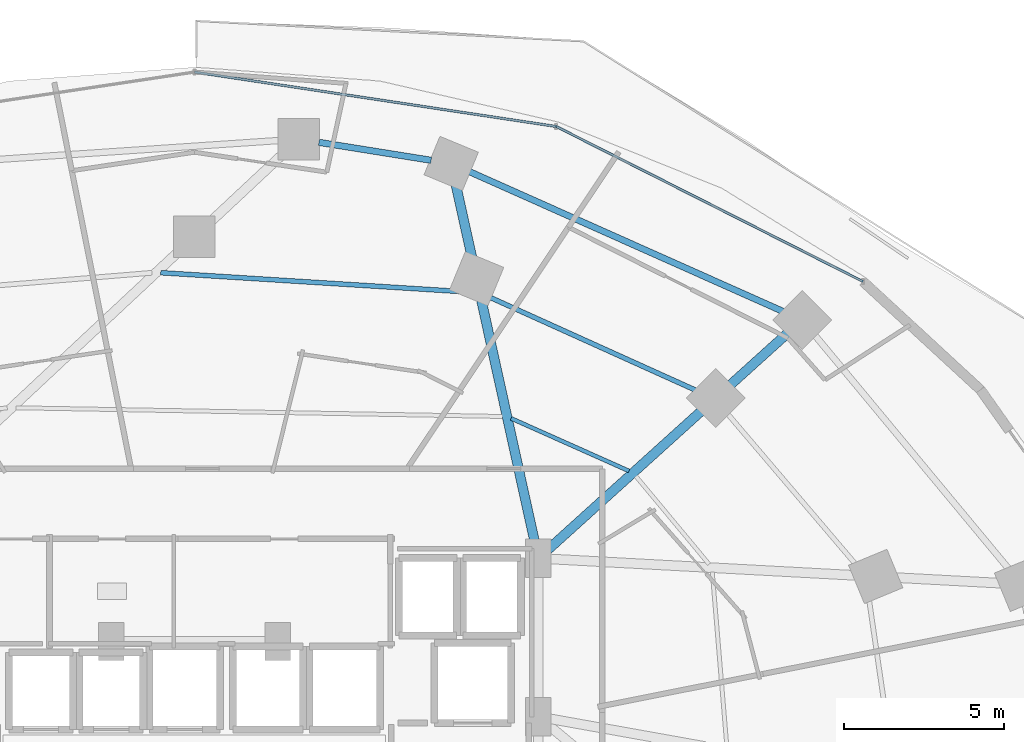
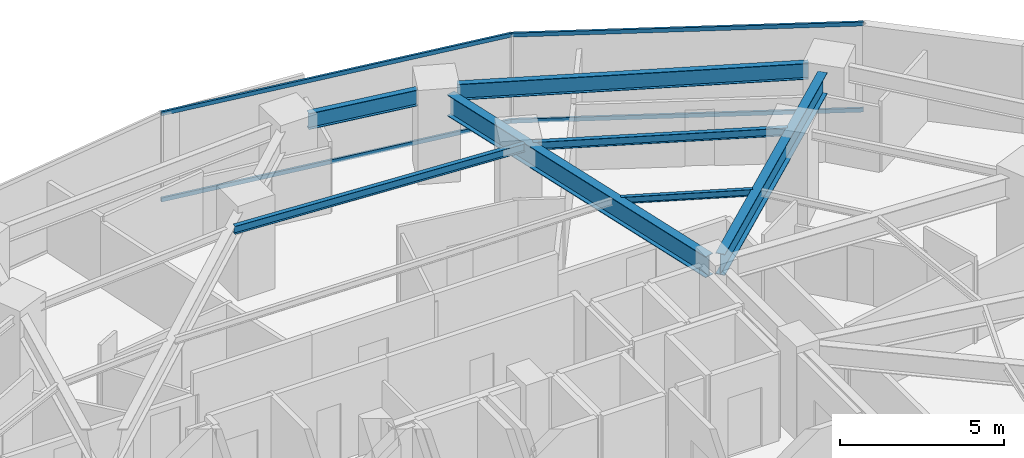
# One storey, part 22 of 33: 7 beams, 4 members, 1 element without a shape of its own.
"""IFC4 building model written with IfcOpenShell, lengths in metres."""

from ifc_helpers import new_model, si_unit, direction, frame, origin, origin_2d, place, context, subcontext, project, spatial, hollow_rectangle, i_section, extrude, material, material_profile, profile_set, type_object, element, aggregate, save


model = new_model("IFC4")

# Units and contexts
model_context = context("Model", 3, precision=1e-05, world=origin(), true_north=direction((0.0, 1.0)))
body_context = subcontext(model_context, "Body", "Model", "MODEL_VIEW")
ifc_project = project(units=[si_unit("LENGTHUNIT", "METRE"), si_unit("AREAUNIT", "SQUARE_METRE"), si_unit("VOLUMEUNIT", "CUBIC_METRE"), si_unit("PLANEANGLEUNIT", "RADIAN"), si_unit("MASSUNIT", "GRAM", prefix="KILO")], contexts=[model_context])

# Site, building, storey
site_placement = place(None, origin())
site = spatial("IfcSite", under=ifc_project, at=site_placement, CompositionType="ELEMENT")
building_placement = place(site_placement, origin())
building = spatial("IfcBuilding", under=site, at=building_placement, Name="Vorneva Point Tower", CompositionType="ELEMENT")
storey_placement = place(building_placement, frame((0.0, 0.0, 38.0)))
storey = spatial("IfcBuildingStorey", under=building, at=storey_placement, Name="L09", CompositionType="ELEMENT", Elevation=38.0)

# Beams
ifc_material_1 = material(Name="Steel S355", Category="steel")
ifc_material_profile_1 = material_profile(ifc_material_1, i_section(OverallWidth=0.300048828125, OverallDepth=0.7880859375, WebThickness=0.014404296875, FlangeThickness=0.02197265625, at=origin_2d()), Name="80Sh1")
ifc_profile_set_1 = profile_set([ifc_material_profile_1], Name="Steel S355")
beam_type_1 = type_object("IfcBeamType", Name="BM-GRD-80Sh1", PredefinedType="USERDEFINED", material=ifc_profile_set_1)
beam_1_placement = place(storey_placement, frame((56.52392578125, 40.172119140625, 2.845947265625), z_axis=(-0.742084477445, -0.67030636901, 0.0), x_axis=(0.67030636901, -0.742084477445, 0.0)))
element("IfcBeam", 1, at=beam_1_placement, inside=storey, type_object=beam_type_1, Name="L09 Radial Primary Girder 03", ObjectType="GIRDER", PredefinedType="USERDEFINED", context=body_context, shape_type="SweptSolid", body=[
    extrude(i_section(OverallWidth=0.300048828125, OverallDepth=0.7880859375, WebThickness=0.014404296875, FlangeThickness=0.02197265625, at=origin_2d()), origin(), (0.0, 0.0, 1.0), 10.135986328125),
])
beam_2_placement = place(storey_placement, frame((46.163818359375, 44.86865234375, 2.845947265625), z_axis=(0.215504784711, -0.976502784311, 0.0), x_axis=(0.976502784311, 0.215504784711, 0.0)))
element("IfcBeam", 2, at=beam_2_placement, inside=storey, type_object=beam_type_1, Name="L09 Radial Primary Girder 04", ObjectType="GIRDER", PredefinedType="USERDEFINED", context=body_context, shape_type="SweptSolid", body=[
    extrude(i_section(OverallWidth=0.300048828125, OverallDepth=0.7880859375, WebThickness=0.014404296875, FlangeThickness=0.02197265625, at=origin_2d()), origin(), (0.0, 0.0, 1.0), 11.66064453125),
])
ifc_material_profile_2 = material_profile(ifc_material_1, i_section(OverallWidth=0.1240234375, OverallDepth=0.248046875, WebThickness=0.0048828125, FlangeThickness=0.008056640625, at=origin_2d()), Name="25B1")
ifc_profile_set_2 = profile_set([ifc_material_profile_2], Name="Steel S355")
beam_type_2 = type_object("IfcBeamType", Name="BM-JST-25B1", PredefinedType="JOIST", material=ifc_profile_set_2)
beam_3_placement = place(storey_placement, frame((51.583984375, 35.8798828125, 3.115966796875), z_axis=(-0.913186925574, 0.40754096599, 0.0), x_axis=(-0.40754096599, -0.913186925574, 0.0)))
element("IfcBeam", 3, at=beam_3_placement, inside=storey, type_object=beam_type_2, Name="L09 Secondary Floor Beam 2.03", PredefinedType="JOIST", context=body_context, shape_type="SweptSolid", body=[
    extrude(i_section(OverallWidth=0.1240234375, OverallDepth=0.248046875, WebThickness=0.0048828125, FlangeThickness=0.008056640625, at=origin_2d()), origin(), (0.0, 0.0, 1.0), 4.036376953125),
])
ifc_material_profile_3 = material_profile(ifc_material_1, i_section(OverallWidth=0.14892578125, OverallDepth=0.298095703125, WebThickness=0.005615234375, FlangeThickness=0.008056640625, at=origin_2d()), Name="30B1")
ifc_profile_set_3 = profile_set([ifc_material_profile_3], Name="Steel S355")
beam_type_3 = type_object("IfcBeamType", Name="BM-JST-30B1", PredefinedType="JOIST", material=ifc_profile_set_3)
beam_4_placement = place(storey_placement, frame((54.1416015625, 38.190673828125, 3.091064453125), z_axis=(-0.911396391121, 0.411529607988, 0.0), x_axis=(-0.411529607988, -0.911396391121, 0.0)))
element("IfcBeam", 4, at=beam_4_placement, inside=storey, type_object=beam_type_3, Name="L09 Secondary Floor Beam 1.03", PredefinedType="JOIST", context=body_context, shape_type="SweptSolid", body=[
    extrude(i_section(OverallWidth=0.14892578125, OverallDepth=0.298095703125, WebThickness=0.005615234375, FlangeThickness=0.008056640625, at=origin_2d()), origin(), (0.0, 0.0, 1.0), 7.7880859375),
])
beam_5_placement = place(storey_placement, frame((46.77978515625, 41.461181640625, 3.091064453125), z_axis=(-0.998039153369, 0.062592717963, 0.0), x_axis=(-0.062592717963, -0.998039153369, 0.0)))
element("IfcBeam", 5, at=beam_5_placement, inside=storey, type_object=beam_type_3, Name="L09 Secondary Floor Beam 1.04", PredefinedType="JOIST", context=body_context, shape_type="SweptSolid", body=[
    extrude(i_section(OverallWidth=0.14892578125, OverallDepth=0.298095703125, WebThickness=0.005615234375, FlangeThickness=0.008056640625, at=origin_2d()), origin(), (0.0, 0.0, 1.0), 9.8525390625),
])
ifc_material_profile_4 = material_profile(ifc_material_1, i_section(OverallWidth=0.198974609375, OverallDepth=0.595947265625, WebThickness=0.010009765625, FlangeThickness=0.014892578125, at=origin_2d()), Name="60B1")
ifc_profile_set_4 = profile_set([ifc_material_profile_4], Name="Steel S355")
beam_type_4 = type_object("IfcBeamType", Name="BM-SPN-60B1", PredefinedType="SPANDREL", material=ifc_profile_set_4)
beam_6_placement = place(storey_placement, frame((56.41748046875, 40.8583984375, 2.94189453125), z_axis=(-0.913329187558, 0.407222046499, 0.0), x_axis=(-0.407222046499, -0.913329187558, 0.0)))
element("IfcBeam", 6, at=beam_6_placement, inside=storey, type_object=beam_type_4, Name="L09 Perimeter Spandrel Ring Beam 03", PredefinedType="SPANDREL", context=body_context, shape_type="SweptSolid", body=[
    extrude(i_section(OverallWidth=0.198974609375, OverallDepth=0.595947265625, WebThickness=0.010009765625, FlangeThickness=0.014892578125, at=origin_2d()), origin(), (0.0, 0.0, 1.0), 10.742431640625),
])
beam_7_placement = place(storey_placement, frame((45.399169921875, 45.591796875, 2.94189453125), z_axis=(-0.987466356523, 0.157829638328, 0.0), x_axis=(-0.157829638328, -0.987466356523, 0.0)))
element("IfcBeam", 7, at=beam_7_placement, inside=storey, type_object=beam_type_4, Name="L09 Perimeter Spandrel Ring Beam 04", PredefinedType="SPANDREL", context=body_context, shape_type="SweptSolid", body=[
    extrude(i_section(OverallWidth=0.198974609375, OverallDepth=0.595947265625, WebThickness=0.010009765625, FlangeThickness=0.014892578125, at=origin_2d()), origin(), (0.0, 0.0, 1.0), 3.551513671875),
])

# Curtain wall, members
ifc_material_2 = material(Name="Pale anodised aluminium", Category="aluminium")
curtain_wall_type = type_object("IfcCurtainWallType", Name="CW-HTL-SYS", PredefinedType="NOTDEFINED", material=ifc_material_2)
curtain_wall_placement = place(storey_placement, origin())
curtain_wall = element("IfcCurtainWall", 8, at=curtain_wall_placement, inside=storey, type_object=curtain_wall_type, Name="L09 Unitised Curtain Wall CW-L09-R02", PredefinedType="NOTDEFINED")
ifc_material_profile_5 = material_profile(ifc_material_2, hollow_rectangle(XDim=0.074951171875, YDim=0.14990234375, WallThickness=0.00390625, at=origin_2d()), Name="AL-TRN 150x75x4")
ifc_profile_set_5 = profile_set([ifc_material_profile_5], Name="Pale anodised aluminium")
member_type = type_object("IfcMemberType", Name="CW-TRN-150", PredefinedType="USERDEFINED", material=ifc_profile_set_5)
member_1_placement = place(storey_placement, frame((58.89501953125, 41.8037109375, 0.02001953125), z_axis=(-0.892496057621, 0.451055192999, 0.0), x_axis=(-0.451055192999, -0.892496057621, 0.0)))
member_1 = element("IfcMember", 9, at=member_1_placement, type_object=member_type, Name="CW-L09-R02 Transom 01.1", ObjectType="TRANSOM", PredefinedType="USERDEFINED", context=body_context, shape_type="SweptSolid", body=[
    extrude(hollow_rectangle(XDim=0.074951171875, YDim=0.14990234375, WallThickness=0.00390625, at=origin_2d()), origin(), (0.0, 0.0, 1.0), 10.741455078125),
])
member_2_placement = place(storey_placement, frame((58.89501953125, 41.8037109375, 3.219970703125), z_axis=(-0.892496057621, 0.451055192999, 0.0), x_axis=(-0.451055192999, -0.892496057621, 0.0)))
member_2 = element("IfcMember", 10, at=member_2_placement, type_object=member_type, Name="CW-L09-R02 Transom 01.2", ObjectType="TRANSOM", PredefinedType="USERDEFINED", context=body_context, shape_type="SweptSolid", body=[
    extrude(hollow_rectangle(XDim=0.074951171875, YDim=0.14990234375, WallThickness=0.00390625, at=origin_2d()), origin(), (0.0, 0.0, 1.0), 10.741455078125),
])
member_3_placement = place(storey_placement, frame((49.308349609375, 46.648681640625, 0.02001953125), z_axis=(-0.988870014575, 0.148782036131, 0.0), x_axis=(-0.148782036131, -0.988870014575, 0.0)))
member_3 = element("IfcMember", 11, at=member_3_placement, type_object=member_type, Name="CW-L09-R02 Transom 02.1", ObjectType="TRANSOM", PredefinedType="USERDEFINED", context=body_context, shape_type="SweptSolid", body=[
    extrude(hollow_rectangle(XDim=0.074951171875, YDim=0.14990234375, WallThickness=0.00390625, at=origin_2d()), origin(), (0.0, 0.0, 1.0), 11.435546875),
])
member_4_placement = place(storey_placement, frame((49.308349609375, 46.648681640625, 3.219970703125), z_axis=(-0.988870014575, 0.148782036131, 0.0), x_axis=(-0.148782036131, -0.988870014575, 0.0)))
member_4 = element("IfcMember", 12, at=member_4_placement, type_object=member_type, Name="CW-L09-R02 Transom 02.2", ObjectType="TRANSOM", PredefinedType="USERDEFINED", context=body_context, shape_type="SweptSolid", body=[
    extrude(hollow_rectangle(XDim=0.074951171875, YDim=0.14990234375, WallThickness=0.00390625, at=origin_2d()), origin(), (0.0, 0.0, 1.0), 11.435546875),
])
aggregate(curtain_wall, [member_1, member_2, member_3, member_4])

save(model, "model.ifc")
